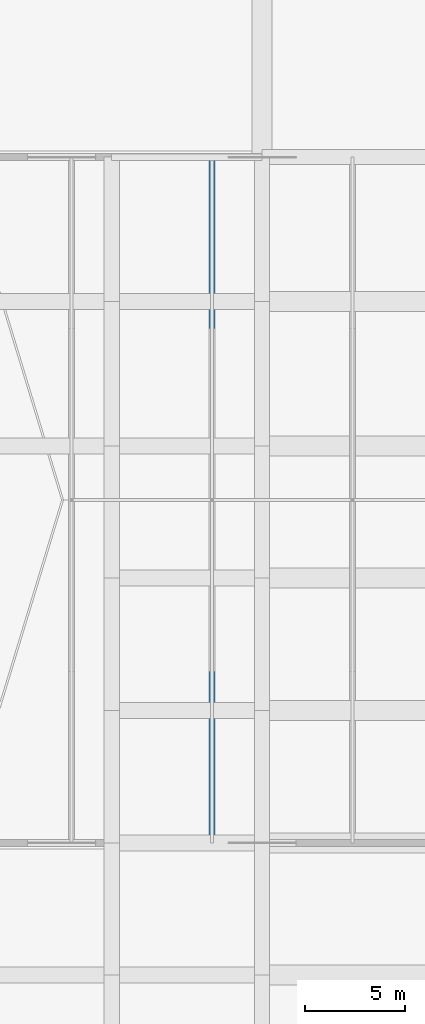
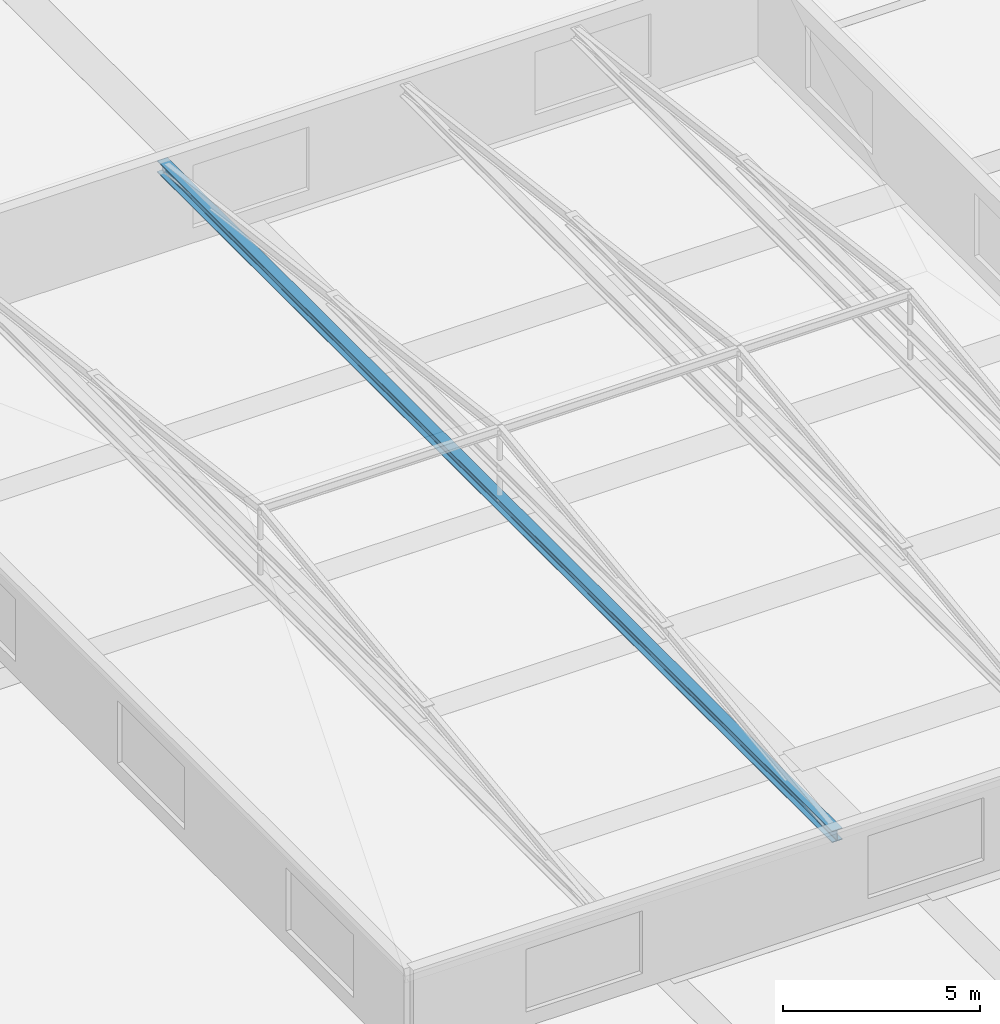
# One storey, part 25 of 49: 1 member.
"""IFC4 building model written with IfcOpenShell, lengths in metres."""

import ifcopenshell
import ifcopenshell.guid

model = None  # the IFC model being written
_history = None  # IfcOwnerHistory: only IFC2X3 demands one
_inside = {}  # id of a spatial element -> (the spatial element, [elements in it])
_under = {}  # id of a project, library or spatial element -> (it, [spatial elements below it])
_declared = {}  # id of a project -> (the project, [libraries it declares])
_typed = {}  # id of a type object -> (the type object, [elements of that type])
_made_of = {}  # id of a material, layer set ... -> (it, [elements and type objects made of it])


def new_model(schema):
    """Start an empty IFC model of exactly this schema.

    Asked for "IFC4X3", IfcOpenShell would pick the latest addendum, in which some entities
    have other attributes; the version numbers below select the first issue.
    IFC2X3 requires an IfcOwnerHistory on every rooted entity: one is made here for all.
    """
    global model, _history
    if schema == "IFC4X3":
        model = ifcopenshell.file(schema_version=(4, 3, 0, 0))
    else:
        model = ifcopenshell.file(schema=schema)
    _inside.clear()
    _under.clear()
    _declared.clear()
    _typed.clear()
    _made_of.clear()
    _history = None
    if model.schema == "IFC2X3":
        org = make("IfcOrganization", Name="unknown")
        user = make(
            "IfcPersonAndOrganization",
            ThePerson=make("IfcPerson", FamilyName="unknown"),
            TheOrganization=org,
        )
        app = make(
            "IfcApplication",
            ApplicationDeveloper=org,
            Version="unknown",
            ApplicationFullName="unknown",
            ApplicationIdentifier="unknown",
        )
        _history = make(
            "IfcOwnerHistory",
            OwningUser=user,
            OwningApplication=app,
            ChangeAction="ADDED",
            CreationDate=0,
        )
    return model


def make(cls, **values):
    """One entity of the class cls with the attributes given. An attribute that is None is left unset."""
    return model.create_entity(
        cls, **{name: value for name, value in values.items() if value is not None}
    )


def rooted(cls, **values):
    """An entity with a GlobalId (a new one), such as an element, a storey or a relation."""
    return make(cls, GlobalId=ifcopenshell.guid.new(), OwnerHistory=_history, **values)


def si_unit(unit_type, name, prefix=None):
    """IfcSIUnit, for example si_unit("LENGTHUNIT", "METRE", prefix="MILLI")."""
    return make("IfcSIUnit", UnitType=unit_type, Prefix=prefix, Name=name)


def assignment(units):
    """IfcUnitAssignment: the units of a project."""
    return None if units is None else make("IfcUnitAssignment", Units=units)


def point(xyz):
    """IfcCartesianPoint."""
    return None if xyz is None else make("IfcCartesianPoint", Coordinates=xyz)


def direction(xyz):
    """IfcDirection."""
    return None if xyz is None else make("IfcDirection", DirectionRatios=xyz)


def frame(location, z_axis=None, x_axis=None):
    """IfcAxis2Placement3D, a coordinate frame: its origin and axes. An axis left out is left unset."""
    return make(
        "IfcAxis2Placement3D",
        Location=point(location),
        Axis=direction(z_axis),
        RefDirection=direction(x_axis),
    )


def frame_2d(location, x_axis=None):
    """IfcAxis2Placement2D, a coordinate frame in the plane: its origin and x axis."""
    return make(
        "IfcAxis2Placement2D", Location=point(location), RefDirection=direction(x_axis)
    )


def origin():
    """The frame at (0, 0, 0) with its axes left unset."""
    return frame((0.0, 0.0, 0.0))


def origin_2d():
    """The frame at (0, 0) in the plane with its x axis left unset."""
    return frame_2d((0.0, 0.0))


def place(relative_to, where):
    """IfcLocalPlacement: puts the frame where relative to a parent placement (None: the world)."""
    return make(
        "IfcLocalPlacement", PlacementRelTo=relative_to, RelativePlacement=where
    )


def context(
    kind, dimensions, precision=None, world=None, true_north=None, identifier=None
):
    """IfcGeometricRepresentationContext, for example the 3D "Model" context."""
    return make(
        "IfcGeometricRepresentationContext",
        ContextIdentifier=identifier,
        ContextType=kind,
        CoordinateSpaceDimension=dimensions,
        Precision=precision,
        WorldCoordinateSystem=world,
        TrueNorth=true_north,
    )


def subcontext(parent, identifier, kind, view, scale=None):
    """IfcGeometricRepresentationSubContext, for example "Body" below "Model"."""
    return make(
        "IfcGeometricRepresentationSubContext",
        ContextIdentifier=identifier,
        ContextType=kind,
        ParentContext=parent,
        TargetScale=scale,
        TargetView=view,
    )


def project(units=None, contexts=None):
    """IfcProject with its units and contexts."""
    return rooted(
        "IfcProject",
        Name="project",
        RepresentationContexts=contexts,
        UnitsInContext=assignment(units),
    )


def spatial(cls, under=None, at=None, **own):
    """A site, building, storey or space (cls), placed at a placement, below another one or the project."""
    s = rooted(cls, ObjectPlacement=at, **own)
    if under is not None:
        _under.setdefault(under.id(), (under, []))[1].append(s)
    return s


def profile(cls, at=None, kind="AREA", **sizes):
    """A parametric profile (cls). Its sizes go by their IFC names, for example OverallWidth=200.0."""
    return make(cls, ProfileType=kind, Position=at, **sizes)


def i_section(**sizes):
    """IfcIShapeProfileDef."""
    return profile("IfcIShapeProfileDef", **sizes)


def extrude(swept, where, along, depth):
    """IfcExtrudedAreaSolid: the profile swept, set in the frame where, extruded along a direction by depth."""
    return make(
        "IfcExtrudedAreaSolid",
        SweptArea=swept,
        Position=where,
        ExtrudedDirection=direction(along),
        Depth=depth,
    )


def shape(context_of_items, identifier, shape_type, items):
    """IfcShapeRepresentation: the items that make up one representation, for example the "Body"."""
    return make(
        "IfcShapeRepresentation",
        ContextOfItems=context_of_items,
        RepresentationIdentifier=identifier,
        RepresentationType=shape_type,
        Items=items,
    )


def material(Name=None, Category=None):
    """IfcMaterial."""
    return make("IfcMaterial", Name=Name, Category=Category)


def material_profile(
    of_material, cross_section, Name=None, Category=None, Priority=None
):
    """IfcMaterialProfile: a cross section and its material."""
    return make(
        "IfcMaterialProfile",
        Name=Name,
        Material=of_material,
        Profile=cross_section,
        Priority=Priority,
        Category=Category,
    )


def profile_set(profiles, Name=None, composite=None):
    """IfcMaterialProfileSet."""
    return make(
        "IfcMaterialProfileSet",
        Name=Name,
        MaterialProfiles=profiles,
        CompositeProfile=composite,
    )


def made_of(thing, what):
    """Note that an element or type object is made of a material, layer set ...; save() writes the relation."""
    if what is not None:
        _made_of.setdefault(what.id(), (what, []))[1].append(thing)
    return thing


def type_object(cls, material=None, **own):
    """A type object (cls), such as IfcWallType, which elements share."""
    return made_of(rooted(cls, **own), material)


def element(
    cls,
    number,
    at=None,
    inside=None,
    cuts=None,
    type_object=None,
    material=None,
    context=None,
    identifier="Body",
    shape_type=None,
    held_by="IfcProductDefinitionShape",
    body=None,
    shapes=None,
    **own,
):
    """One element of the class cls, such as IfcWall. Its Tag is "e" and its number.

    at: its placement. inside: the storey or other place that contains it. cuts: it is an
    opening in that element (IfcRelVoidsElement). A single representation is given by context,
    identifier, shape_type and body (its items); several are given by shapes. held_by: the class
    of the entity that holds the representations. save() writes the other relations.
    """
    e = rooted(cls, Tag="e%d" % number, ObjectPlacement=at, **own)
    if body is not None:
        shapes = [shape(context, identifier, shape_type, body)]
    if shapes is not None:
        e.Representation = make(held_by, Representations=shapes)
    if inside is not None:
        _inside.setdefault(inside.id(), (inside, []))[1].append(e)
    if cuts is not None:
        rooted(
            "IfcRelVoidsElement", RelatingBuildingElement=cuts, RelatedOpeningElement=e
        )
    if type_object is not None:
        _typed.setdefault(type_object.id(), (type_object, []))[1].append(e)
    return made_of(e, material)


def aggregate(whole, parts):
    """IfcRelAggregates: a whole, such as a stair, and the parts it consists of."""
    return rooted("IfcRelAggregates", RelatingObject=whole, RelatedObjects=parts)


def save(model, path):
    """Write the relations noted so far, then the file.

    IfcRelAggregates (storeys below a building ...), IfcRelContainedInSpatialStructure (elements
    in a storey), IfcRelDefinesByType, IfcRelAssociatesMaterial and IfcRelDeclares: one each for
    every whole, place, type object, material and project.
    """
    for whole, parts in _under.values():
        aggregate(whole, parts)
    for where, things in _inside.values():
        rooted(
            "IfcRelContainedInSpatialStructure",
            RelatedElements=things,
            RelatingStructure=where,
        )
    for kind, things in _typed.values():
        rooted("IfcRelDefinesByType", RelatedObjects=things, RelatingType=kind)
    for what, things in _made_of.values():
        rooted("IfcRelAssociatesMaterial", RelatedObjects=things, RelatingMaterial=what)
    for by, libraries in _declared.values():
        rooted("IfcRelDeclares", RelatingContext=by, RelatedDefinitions=libraries)
    model.write(path)


model = new_model("IFC4")

# Units and contexts
model_context = context("Model", 3, precision=1e-05, world=origin(), true_north=direction((0.0, 1.0)))
body_context = subcontext(model_context, "Body", "Model", "MODEL_VIEW")
ifc_project = project(units=[si_unit("LENGTHUNIT", "METRE"), si_unit("AREAUNIT", "SQUARE_METRE"), si_unit("VOLUMEUNIT", "CUBIC_METRE"), si_unit("PLANEANGLEUNIT", "RADIAN"), si_unit("MASSUNIT", "GRAM", prefix="KILO")], contexts=[model_context])

# Site, building, storey
site_placement = place(None, origin())
site = spatial("IfcSite", under=ifc_project, at=site_placement, CompositionType="ELEMENT")
building_placement = place(site_placement, origin())
building = spatial("IfcBuilding", under=site, at=building_placement, Name="Akrevak Sports Hall", CompositionType="ELEMENT")
storey_placement = place(building_placement, frame((0.0, 0.0, 24.14990234375)))
storey = spatial("IfcBuildingStorey", under=building, at=storey_placement, Name="L04", CompositionType="ELEMENT", Elevation=24.14990234375)

# Member
ifc_material = material(Name="Steel S355", Category="steel")
ifc_material_profile = material_profile(ifc_material, i_section(OverallWidth=0.300048828125, OverallDepth=0.360107421875, WebThickness=0.012451171875, FlangeThickness=0.0224609375, FilletRadius=0.027099609375, at=origin_2d()), Name="HEB 360", Category="steel")
ifc_profile_set = profile_set([ifc_material_profile], Name="Steel S355")
member_type = type_object("IfcMemberType", Name="STR-MEM-CHORD-HEB360", PredefinedType="CHORD", material=ifc_profile_set)
member_placement = place(storey_placement, frame((143.0, 35.39990234375, 2.60009765625), z_axis=(0.0, 1.0, 0.0), x_axis=(-1.0, 0.0, 0.0)))
element("IfcMember", 1, at=member_placement, inside=storey, type_object=member_type, Name="East Volleyball & Climbing Hall Monitor Roof Bottom Tie Chord 2", PredefinedType="CHORD", context=body_context, shape_type="SweptSolid", body=[
    extrude(i_section(OverallWidth=0.300048828125, OverallDepth=0.360107421875, WebThickness=0.012451171875, FlangeThickness=0.0224609375, FilletRadius=0.027099609375, at=origin_2d()), origin(), (0.0, 0.0, 1.0), 34.2001953125),
])

save(model, "model.ifc")
